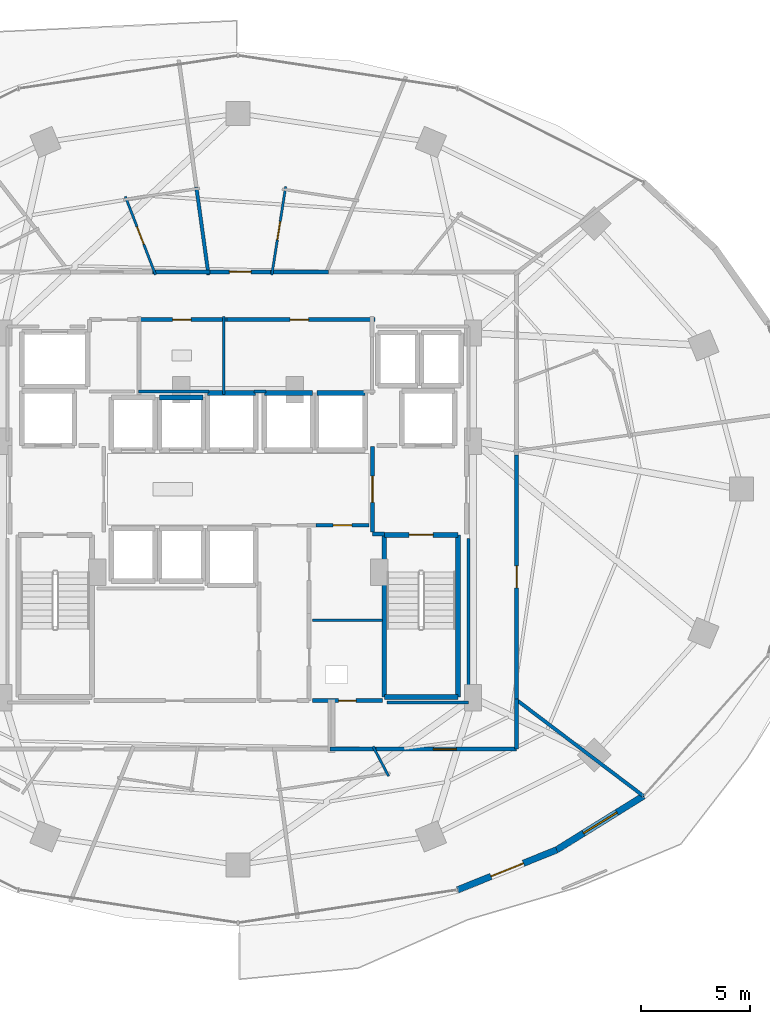
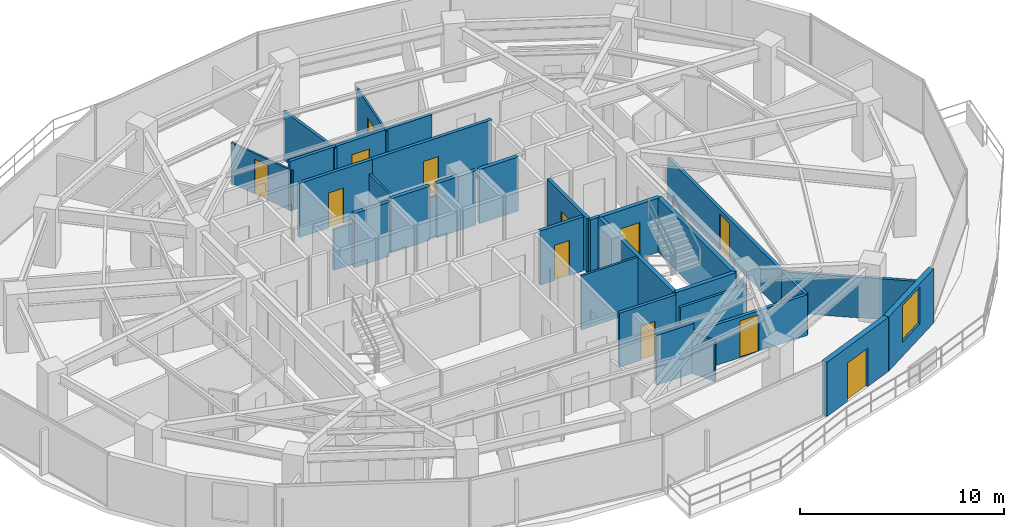
# One storey, part 24 of 30: 34 walls, 12 doors, 1 window, 13 openings.
"""IFC4 building model written with IfcOpenShell, lengths in metres."""

import ifcopenshell
import ifcopenshell.guid

model = None  # the IFC model being written
_history = None  # IfcOwnerHistory: only IFC2X3 demands one
_inside = {}  # id of a spatial element -> (the spatial element, [elements in it])
_under = {}  # id of a project, library or spatial element -> (it, [spatial elements below it])
_declared = {}  # id of a project -> (the project, [libraries it declares])
_typed = {}  # id of a type object -> (the type object, [elements of that type])
_made_of = {}  # id of a material, layer set ... -> (it, [elements and type objects made of it])


def new_model(schema):
    """Start an empty IFC model of exactly this schema.

    Asked for "IFC4X3", IfcOpenShell would pick the latest addendum, in which some entities
    have other attributes; the version numbers below select the first issue.
    IFC2X3 requires an IfcOwnerHistory on every rooted entity: one is made here for all.
    """
    global model, _history
    if schema == "IFC4X3":
        model = ifcopenshell.file(schema_version=(4, 3, 0, 0))
    else:
        model = ifcopenshell.file(schema=schema)
    _inside.clear()
    _under.clear()
    _declared.clear()
    _typed.clear()
    _made_of.clear()
    _history = None
    if model.schema == "IFC2X3":
        org = make("IfcOrganization", Name="unknown")
        user = make(
            "IfcPersonAndOrganization",
            ThePerson=make("IfcPerson", FamilyName="unknown"),
            TheOrganization=org,
        )
        app = make(
            "IfcApplication",
            ApplicationDeveloper=org,
            Version="unknown",
            ApplicationFullName="unknown",
            ApplicationIdentifier="unknown",
        )
        _history = make(
            "IfcOwnerHistory",
            OwningUser=user,
            OwningApplication=app,
            ChangeAction="ADDED",
            CreationDate=0,
        )
    return model


def make(cls, **values):
    """One entity of the class cls with the attributes given. An attribute that is None is left unset."""
    return model.create_entity(
        cls, **{name: value for name, value in values.items() if value is not None}
    )


def rooted(cls, **values):
    """An entity with a GlobalId (a new one), such as an element, a storey or a relation."""
    return make(cls, GlobalId=ifcopenshell.guid.new(), OwnerHistory=_history, **values)


def si_unit(unit_type, name, prefix=None):
    """IfcSIUnit, for example si_unit("LENGTHUNIT", "METRE", prefix="MILLI")."""
    return make("IfcSIUnit", UnitType=unit_type, Prefix=prefix, Name=name)


def assignment(units):
    """IfcUnitAssignment: the units of a project."""
    return None if units is None else make("IfcUnitAssignment", Units=units)


def point(xyz):
    """IfcCartesianPoint."""
    return None if xyz is None else make("IfcCartesianPoint", Coordinates=xyz)


def direction(xyz):
    """IfcDirection."""
    return None if xyz is None else make("IfcDirection", DirectionRatios=xyz)


def frame(location, z_axis=None, x_axis=None):
    """IfcAxis2Placement3D, a coordinate frame: its origin and axes. An axis left out is left unset."""
    return make(
        "IfcAxis2Placement3D",
        Location=point(location),
        Axis=direction(z_axis),
        RefDirection=direction(x_axis),
    )


def frame_2d(location, x_axis=None):
    """IfcAxis2Placement2D, a coordinate frame in the plane: its origin and x axis."""
    return make(
        "IfcAxis2Placement2D", Location=point(location), RefDirection=direction(x_axis)
    )


def origin():
    """The frame at (0, 0, 0) with its axes left unset."""
    return frame((0.0, 0.0, 0.0))


def place(relative_to, where):
    """IfcLocalPlacement: puts the frame where relative to a parent placement (None: the world)."""
    return make(
        "IfcLocalPlacement", PlacementRelTo=relative_to, RelativePlacement=where
    )


def context(
    kind, dimensions, precision=None, world=None, true_north=None, identifier=None
):
    """IfcGeometricRepresentationContext, for example the 3D "Model" context."""
    return make(
        "IfcGeometricRepresentationContext",
        ContextIdentifier=identifier,
        ContextType=kind,
        CoordinateSpaceDimension=dimensions,
        Precision=precision,
        WorldCoordinateSystem=world,
        TrueNorth=true_north,
    )


def subcontext(parent, identifier, kind, view, scale=None):
    """IfcGeometricRepresentationSubContext, for example "Body" below "Model"."""
    return make(
        "IfcGeometricRepresentationSubContext",
        ContextIdentifier=identifier,
        ContextType=kind,
        ParentContext=parent,
        TargetScale=scale,
        TargetView=view,
    )


def project(units=None, contexts=None):
    """IfcProject with its units and contexts."""
    return rooted(
        "IfcProject",
        Name="project",
        RepresentationContexts=contexts,
        UnitsInContext=assignment(units),
    )


def spatial(cls, under=None, at=None, **own):
    """A site, building, storey or space (cls), placed at a placement, below another one or the project."""
    s = rooted(cls, ObjectPlacement=at, **own)
    if under is not None:
        _under.setdefault(under.id(), (under, []))[1].append(s)
    return s


def profile(cls, at=None, kind="AREA", **sizes):
    """A parametric profile (cls). Its sizes go by their IFC names, for example OverallWidth=200.0."""
    return make(cls, ProfileType=kind, Position=at, **sizes)


def rectangle(**sizes):
    """IfcRectangleProfileDef."""
    return profile("IfcRectangleProfileDef", **sizes)


def extrude(swept, where, along, depth):
    """IfcExtrudedAreaSolid: the profile swept, set in the frame where, extruded along a direction by depth."""
    return make(
        "IfcExtrudedAreaSolid",
        SweptArea=swept,
        Position=where,
        ExtrudedDirection=direction(along),
        Depth=depth,
    )


def shape(context_of_items, identifier, shape_type, items):
    """IfcShapeRepresentation: the items that make up one representation, for example the "Body"."""
    return make(
        "IfcShapeRepresentation",
        ContextOfItems=context_of_items,
        RepresentationIdentifier=identifier,
        RepresentationType=shape_type,
        Items=items,
    )


def material(Name=None, Category=None):
    """IfcMaterial."""
    return make("IfcMaterial", Name=Name, Category=Category)


def layer(
    of_material, thickness, ventilated=None, Name=None, Category=None, Priority=None
):
    """IfcMaterialLayer: one layer of a wall or slab, of a material (None: an air gap)."""
    return make(
        "IfcMaterialLayer",
        Material=of_material,
        LayerThickness=thickness,
        IsVentilated=ventilated,
        Name=Name,
        Category=Category,
        Priority=Priority,
    )


def layer_set(layers, Name=None):
    """IfcMaterialLayerSet."""
    return make("IfcMaterialLayerSet", MaterialLayers=layers, LayerSetName=Name)


def made_of(thing, what):
    """Note that an element or type object is made of a material, layer set ...; save() writes the relation."""
    if what is not None:
        _made_of.setdefault(what.id(), (what, []))[1].append(thing)
    return thing


def type_object(cls, material=None, **own):
    """A type object (cls), such as IfcWallType, which elements share."""
    return made_of(rooted(cls, **own), material)


def element(
    cls,
    number,
    at=None,
    inside=None,
    cuts=None,
    type_object=None,
    material=None,
    context=None,
    identifier="Body",
    shape_type=None,
    held_by="IfcProductDefinitionShape",
    body=None,
    shapes=None,
    **own,
):
    """One element of the class cls, such as IfcWall. Its Tag is "e" and its number.

    at: its placement. inside: the storey or other place that contains it. cuts: it is an
    opening in that element (IfcRelVoidsElement). A single representation is given by context,
    identifier, shape_type and body (its items); several are given by shapes. held_by: the class
    of the entity that holds the representations. save() writes the other relations.
    """
    e = rooted(cls, Tag="e%d" % number, ObjectPlacement=at, **own)
    if body is not None:
        shapes = [shape(context, identifier, shape_type, body)]
    if shapes is not None:
        e.Representation = make(held_by, Representations=shapes)
    if inside is not None:
        _inside.setdefault(inside.id(), (inside, []))[1].append(e)
    if cuts is not None:
        rooted(
            "IfcRelVoidsElement", RelatingBuildingElement=cuts, RelatedOpeningElement=e
        )
    if type_object is not None:
        _typed.setdefault(type_object.id(), (type_object, []))[1].append(e)
    return made_of(e, material)


def fill(opening, filler):
    """IfcRelFillsElement: the door or window that sits in an opening."""
    return rooted(
        "IfcRelFillsElement",
        RelatingOpeningElement=opening,
        RelatedBuildingElement=filler,
    )


def aggregate(whole, parts):
    """IfcRelAggregates: a whole, such as a stair, and the parts it consists of."""
    return rooted("IfcRelAggregates", RelatingObject=whole, RelatedObjects=parts)


def save(model, path):
    """Write the relations noted so far, then the file.

    IfcRelAggregates (storeys below a building ...), IfcRelContainedInSpatialStructure (elements
    in a storey), IfcRelDefinesByType, IfcRelAssociatesMaterial and IfcRelDeclares: one each for
    every whole, place, type object, material and project.
    """
    for whole, parts in _under.values():
        aggregate(whole, parts)
    for where, things in _inside.values():
        rooted(
            "IfcRelContainedInSpatialStructure",
            RelatedElements=things,
            RelatingStructure=where,
        )
    for kind, things in _typed.values():
        rooted("IfcRelDefinesByType", RelatedObjects=things, RelatingType=kind)
    for what, things in _made_of.values():
        rooted("IfcRelAssociatesMaterial", RelatedObjects=things, RelatingMaterial=what)
    for by, libraries in _declared.values():
        rooted("IfcRelDeclares", RelatingContext=by, RelatedDefinitions=libraries)
    model.write(path)


model = new_model("IFC4")

# Units and contexts
model_context = context("Model", 3, precision=1e-05, world=origin(), true_north=direction((0.0, 1.0)))
body_context = subcontext(model_context, "Body", "Model", "MODEL_VIEW")
ifc_project = project(units=[si_unit("LENGTHUNIT", "METRE"), si_unit("AREAUNIT", "SQUARE_METRE"), si_unit("VOLUMEUNIT", "CUBIC_METRE"), si_unit("PLANEANGLEUNIT", "RADIAN"), si_unit("MASSUNIT", "GRAM", prefix="KILO")], contexts=[model_context])

# Site, building, storey
site_placement = place(None, origin())
site = spatial("IfcSite", under=ifc_project, at=site_placement, CompositionType="ELEMENT")
building_placement = place(site_placement, origin())
building = spatial("IfcBuilding", under=site, at=building_placement, Name="Vorneva Point Tower", CompositionType="ELEMENT")
storey_placement = place(building_placement, frame((0.0, 0.0, 96.300048828125)))
storey = spatial("IfcBuildingStorey", under=building, at=storey_placement, Name="L25", CompositionType="ELEMENT", Elevation=96.300048828125)

# Wall, opening, door
ifc_material_1 = material(Name="Precast concrete B50 (C40/50)", Category="concrete")
ifc_layer_1 = layer(ifc_material_1, 0.300048828125)
ifc_layer_set_1 = layer_set([ifc_layer_1], Name="Precast concrete B50 (C40/50)")
wall_type_1 = type_object("IfcWallType", Name="WL-EXT-300", PredefinedType="STANDARD", material=ifc_layer_set_1)
wall_1_placement = place(storey_placement, frame((48.04541015625, 7.660888671875, 0.0), z_axis=(0.0, 0.0, 1.0), x_axis=(0.927122233109, 0.374759075775, 0.0)))
wall_1 = element("IfcWall", 1, at=wall_1_placement, inside=storey, type_object=wall_type_1, Name="L25 Pale-Metal Facade Spandrel Wall 14.1", PredefinedType="STANDARD", context=body_context, shape_type="SweptSolid", body=[
    extrude(rectangle(XDim=4.89501953125, YDim=0.300048828125, at=frame_2d((2.447509765625, 0.0))), origin(), (0.0, 0.0, 1.0), 3.239990234375),
])
opening_1_placement = place(wall_1_placement, frame((1.6474609375, 0.0, 0.0)))
opening_1 = element("IfcOpeningElement", 2, at=opening_1_placement, cuts=wall_1, Name="Opening BD-01", PredefinedType="OPENING", context=body_context, shape_type="SweptSolid", body=[
    extrude(rectangle(XDim=1.60009765625, YDim=2.300048828125, at=frame_2d((0.800048828125, 1.14990234375))), frame((0.0, 0.1650390625, 0.0), z_axis=(0.0, -1.0, 0.0), x_axis=(1.0, 0.0, 0.0)), (0.0, 0.0, 1.0), 0.329833984375),
])
ifc_material_2 = material(Name="Pale anodised aluminium", Category="aluminium")
door_type_1 = type_object("IfcDoorType", Name="DR-BAL-1600", OperationType="SLIDING_TO_LEFT", PredefinedType="DOOR", material=ifc_material_2)
door_1_placement = place(opening_1_placement, origin())
door_1 = element("IfcDoor", 3, at=door_1_placement, inside=storey, type_object=door_type_1, Name="L25 Balcony Terrace Access Door 14", OperationType="SLIDING_TO_LEFT", OverallHeight=2.300048828125, OverallWidth=1.60009765625, PredefinedType="DOOR", context=body_context, shape_type="SweptSolid", body=[
    extrude(rectangle(XDim=1.60009765625, YDim=2.300048828125, at=frame_2d((0.800048828125, 1.14990234375))), frame((0.0, 0.02490234375, 0.0), z_axis=(0.0, -1.0, 0.0), x_axis=(1.0, 0.0, 0.0)), (0.0, 0.0, 1.0), 0.050048828125),
])
fill(opening_1, door_1)

# Wall, opening, window
wall_2_placement = place(storey_placement, frame((52.583740234375, 9.495361328125, 0.0), z_axis=(0.0, 0.0, 1.0), x_axis=(0.849684479743, 0.527291461038, 0.0)))
wall_2 = element("IfcWall", 4, at=wall_2_placement, inside=storey, type_object=wall_type_1, Name="L25 Pale-Metal Facade Spandrel Wall 14.2", PredefinedType="STANDARD", context=body_context, shape_type="SweptSolid", body=[
    extrude(rectangle(XDim=4.681396484375, YDim=0.300048828125, at=frame_2d((2.3408203125, 0.0))), origin(), (0.0, 0.0, 1.0), 3.239990234375),
])
opening_2_placement = place(wall_2_placement, frame((1.44091796875, 0.0, 0.85009765625)))
opening_2 = element("IfcOpeningElement", 5, at=opening_2_placement, cuts=wall_2, Name="Opening W-01", PredefinedType="OPENING", context=body_context, shape_type="SweptSolid", body=[
    extrude(rectangle(XDim=1.800048828125, YDim=2.18994140625, at=frame_2d((0.89990234375, 1.094970703125))), frame((0.0, 0.1650390625, 0.0), z_axis=(0.0, -1.0, 0.0), x_axis=(1.0, 0.0, 0.0)), (0.0, 0.0, 1.0), 0.329833984375),
])
ifc_material_3 = material(Name="Double low-e laminated glass IGU", Category="glass")
window_type = type_object("IfcWindowType", Name="WN-LOG-1800", PartitioningType="SINGLE_PANEL", PredefinedType="WINDOW", material=ifc_material_3)
window_placement = place(opening_2_placement, origin())
window = element("IfcWindow", 6, at=window_placement, inside=storey, type_object=window_type, Name="L25 Facade Window 14", OverallHeight=2.18994140625, OverallWidth=1.800048828125, PartitioningType="SINGLE_PANEL", PredefinedType="WINDOW", context=body_context, shape_type="SweptSolid", body=[
    extrude(rectangle(XDim=1.800048828125, YDim=2.18994140625, at=frame_2d((0.89990234375, 1.094970703125))), frame((0.0, 0.030029296875, 0.0), z_axis=(0.0, -1.0, 0.0), x_axis=(1.0, 0.0, 0.0)), (0.0, 0.0, 1.0), 0.06005859375),
])
fill(opening_2, window)

# Wall
ifc_material_4 = material(Name="Fire-rated acoustic gypsum stud partition", Category="gypsum")
ifc_layer_2 = layer(ifc_material_4, 0.110107421875)
ifc_layer_set_2 = layer_set([ifc_layer_2], Name="Fire-rated acoustic gypsum stud partition")
wall_type_2 = type_object("IfcWallType", Name="WL-PART-110", PredefinedType="PARTITIONING", material=ifc_layer_set_2)
wall_3_placement = place(storey_placement, frame((37.35009765625, 30.340087890625, 0.0), z_axis=(0.0, 0.0, 1.0), x_axis=(0.0, 1.0, 0.0)))
element("IfcWall", 7, at=wall_3_placement, inside=storey, type_object=wall_type_2, Name="L25 Interior Partition 017", PredefinedType="PARTITIONING", context=body_context, shape_type="SweptSolid", body=[
    extrude(rectangle(XDim=3.559814453125, YDim=0.110107421875, at=frame_2d((1.77978515625, 0.0))), origin(), (0.0, 0.0, 1.0), 2.431884765625),
])

# Wall, opening, door
wall_4_placement = place(storey_placement, frame((39.542236328125, 35.811767578125, 0.0), z_axis=(0.0, 0.0, 1.0), x_axis=(0.155211191462, 0.98788131172, 0.0)))
wall_4 = element("IfcWall", 8, at=wall_4_placement, inside=storey, type_object=wall_type_2, Name="L25 Interior Partition 060", PredefinedType="PARTITIONING", context=body_context, shape_type="SweptSolid", body=[
    extrude(rectangle(XDim=4.088134765625, YDim=0.110107421875, at=frame_2d((2.0439453125, 0.0))), origin(), (0.0, 0.0, 1.0), 2.921875),
])
opening_3_placement = place(wall_4_placement, frame((1.619140625, 0.0, 0.0)))
opening_3 = element("IfcOpeningElement", 9, at=opening_3_placement, cuts=wall_4, Name="Opening ID-02", PredefinedType="OPENING", context=body_context, shape_type="SweptSolid", body=[
    extrude(rectangle(XDim=0.85009765625, YDim=2.10009765625, at=frame_2d((0.425048828125, 1.050048828125))), frame((0.0, 0.06982421875, 0.0), z_axis=(0.0, -1.0, 0.0), x_axis=(1.0, 0.0, 0.0)), (0.0, 0.0, 1.0), 0.139892578125),
])
ifc_material_5 = material(Name="Engineered oak fire-rated door leaf", Category="wood")
door_type_2 = type_object("IfcDoorType", Name="DR-BATH-850", OperationType="NOTDEFINED", PredefinedType="DOOR", material=ifc_material_5)
door_2_placement = place(opening_3_placement, origin())
door_2 = element("IfcDoor", 10, at=door_2_placement, inside=storey, type_object=door_type_2, Name="L25 Door Twin Guest Room L25-03 / En-Suite Bathroom L25-03", OperationType="SINGLE_SWING_LEFT", OverallHeight=2.10009765625, OverallWidth=0.85009765625, PredefinedType="DOOR", context=body_context, shape_type="SweptSolid", body=[
    extrude(rectangle(XDim=0.85009765625, YDim=2.10009765625, at=frame_2d((0.425048828125, 1.050048828125))), frame((0.0, 0.02490234375, 0.0), z_axis=(0.0, -1.0, 0.0), x_axis=(1.0, 0.0, 0.0)), (0.0, 0.0, 1.0), 0.050048828125),
])
fill(opening_3, door_2)

wall_5_placement = place(storey_placement, frame((34.21630859375, 35.8193359375, 0.0), z_axis=(0.0, 0.0, 1.0), x_axis=(-0.359516562862, 0.933138704067, 0.0)))
wall_5 = element("IfcWall", 11, at=wall_5_placement, inside=storey, type_object=wall_type_2, Name="L25 Interior Partition 063", PredefinedType="PARTITIONING", context=body_context, shape_type="SweptSolid", body=[
    extrude(rectangle(XDim=3.834716796875, YDim=0.110107421875, at=frame_2d((1.91748046875, 0.0))), origin(), (0.0, 0.0, 1.0), 2.431884765625),
])
opening_4_placement = place(wall_5_placement, frame((1.4921875, 0.0, 0.0)))
opening_4 = element("IfcOpeningElement", 12, at=opening_4_placement, cuts=wall_5, Name="Opening ID-02", PredefinedType="OPENING", context=body_context, shape_type="SweptSolid", body=[
    extrude(rectangle(XDim=0.85009765625, YDim=2.10009765625, at=frame_2d((0.425048828125, 1.050048828125))), frame((0.0, 0.06982421875, 0.0), z_axis=(0.0, -1.0, 0.0), x_axis=(1.0, 0.0, 0.0)), (0.0, 0.0, 1.0), 0.139892578125),
])
door_3_placement = place(opening_4_placement, origin())
door_3 = element("IfcDoor", 13, at=door_3_placement, inside=storey, type_object=door_type_2, Name="L25 Door Junior Suite L25-04 / En-Suite Bathroom L25-04", OperationType="SINGLE_SWING_RIGHT", OverallHeight=2.10009765625, OverallWidth=0.85009765625, PredefinedType="DOOR", context=body_context, shape_type="SweptSolid", body=[
    extrude(rectangle(XDim=0.85009765625, YDim=2.10009765625, at=frame_2d((0.425048828125, 1.050048828125))), frame((0.0, 0.02490234375, 0.0), z_axis=(0.0, -1.0, 0.0), x_axis=(1.0, 0.0, 0.0)), (0.0, 0.0, 1.0), 0.050048828125),
])
fill(opening_4, door_3)

# Walls
wall_6_placement = place(storey_placement, frame((44.176025390625, 14.22412109375, 0.0), z_axis=(0.0, 0.0, 1.0), x_axis=(0.464262791375, -0.885697499457, 0.0)))
element("IfcWall", 14, at=wall_6_placement, inside=storey, type_object=wall_type_2, Name="L25 Interior Partition 084", PredefinedType="PARTITIONING", context=body_context, shape_type="SweptSolid", body=[
    extrude(rectangle(XDim=1.533447265625, YDim=0.110107421875, at=frame_2d((0.7666015625, 0.0))), origin(), (0.0, 0.0, 1.0), 2.431884765625),
])
ifc_layer_3 = layer(ifc_material_4, 0.125)
ifc_layer_set_3 = layer_set([ifc_layer_3], Name="Fire-rated acoustic gypsum stud partition")
wall_type_3 = type_object("IfcWallType", Name="WL-PART-125", PredefinedType="PARTITIONING", material=ifc_layer_set_3)
wall_7_placement = place(storey_placement, frame((44.60009765625, 20.0, 0.0), z_axis=(0.0, 0.0, 1.0), x_axis=(-1.0, 0.0, 0.0)))
element("IfcWall", 15, at=wall_7_placement, inside=storey, type_object=wall_type_3, Name="L25 Interior Partition 015", PredefinedType="PARTITIONING", context=body_context, shape_type="SweptSolid", body=[
    extrude(rectangle(XDim=3.2001953125, YDim=0.125, at=frame_2d((1.60009765625, 0.0))), origin(), (0.0, 0.0, 1.0), 3.239990234375),
])
ifc_layer_4 = layer(ifc_material_4, 0.139892578125)
ifc_layer_set_4 = layer_set([ifc_layer_4], Name="Fire-rated acoustic gypsum stud partition")
wall_type_4 = type_object("IfcWallType", Name="WL-PART-140", PredefinedType="PARTITIONING", material=ifc_layer_set_4)
wall_8_placement = place(storey_placement, frame((33.43994140625, 30.47998046875, 0.0), z_axis=(0.0, 0.0, 1.0), x_axis=(1.0, 0.0, 0.0)))
element("IfcWall", 16, at=wall_8_placement, inside=storey, type_object=wall_type_4, Name="L25 Interior Closure Partition 089", PredefinedType="PARTITIONING", context=body_context, shape_type="SweptSolid", body=[
    extrude(rectangle(XDim=3.22509765625, YDim=0.139892578125, at=frame_2d((1.612548828125, 0.0))), origin(), (0.0, 0.0, 1.0), 2.431884765625),
])
wall_9_placement = place(storey_placement, frame((38.735107421875, 30.47998046875, 0.0), z_axis=(0.0, 0.0, 1.0), x_axis=(1.0, 0.0, 0.0)))
element("IfcWall", 17, at=wall_9_placement, inside=storey, type_object=wall_type_4, Name="L25 Interior Closure Partition 090", PredefinedType="PARTITIONING", context=body_context, shape_type="SweptSolid", body=[
    extrude(rectangle(XDim=0.52978515625, YDim=0.139892578125, at=frame_2d((0.264892578125, 0.0))), origin(), (0.0, 0.0, 1.0), 2.431884765625),
])
wall_10_placement = place(storey_placement, frame((48.550048828125, 23.75390625, 0.0), z_axis=(0.0, 0.0, 1.0), x_axis=(0.0, -1.0, 0.0)))
element("IfcWall", 18, at=wall_10_placement, inside=storey, type_object=wall_type_4, Name="L25 Interior Closure Partition 096", PredefinedType="PARTITIONING", context=body_context, shape_type="SweptSolid", body=[
    extrude(rectangle(XDim=7.513916015625, YDim=0.139892578125, at=frame_2d((3.7568359375, 0.0))), origin(), (0.0, 0.0, 1.0), 2.431884765625),
])
wall_11_placement = place(storey_placement, frame((48.550048828125, 16.239990234375, 0.0), z_axis=(0.0, 0.0, 1.0), x_axis=(-1.0, 0.0, 0.0)))
element("IfcWall", 19, at=wall_11_placement, inside=storey, type_object=wall_type_4, Name="L25 Interior Closure Partition 097", PredefinedType="PARTITIONING", context=body_context, shape_type="SweptSolid", body=[
    extrude(rectangle(XDim=3.7451171875, YDim=0.139892578125, at=frame_2d((1.87255859375, 0.0))), origin(), (0.0, 0.0, 1.0), 2.431884765625),
])
ifc_layer_5 = layer(ifc_material_4, 0.159912109375)
ifc_layer_set_5 = layer_set([ifc_layer_5], Name="Fire-rated acoustic gypsum stud partition")
wall_type_5 = type_object("IfcWallType", Name="WL-PART-160", PredefinedType="PARTITIONING", material=ifc_layer_set_5)
wall_12_placement = place(storey_placement, frame((36.08740234375, 39.82861328125, 0.0), z_axis=(0.0, 0.0, 1.0), x_axis=(0.137071274589, -0.990561187248, 0.0)))
element("IfcWall", 20, at=wall_12_placement, inside=storey, type_object=wall_type_5, Name="L25 Interior Partition 062", PredefinedType="PARTITIONING", context=body_context, shape_type="SweptSolid", body=[
    extrude(rectangle(XDim=4.0556640625, YDim=0.159912109375, at=frame_2d((2.02783203125, 0.0))), origin(), (0.0, 0.0, 1.0), 2.921875),
])
wall_13_placement = place(storey_placement, frame((56.548095703125, 11.9599609375, 0.0), z_axis=(0.0, 0.0, 1.0), x_axis=(-0.797312940684, 0.603566131105, 0.0)))
element("IfcWall", 21, at=wall_13_placement, inside=storey, type_object=wall_type_5, Name="L25 Interior Partition 085", PredefinedType="PARTITIONING", context=body_context, shape_type="SweptSolid", body=[
    extrude(rectangle(XDim=7.27197265625, YDim=0.159912109375, at=frame_2d((3.635986328125, 0.0))), origin(), (0.0, 0.0, 1.0), 2.431884765625),
])

# Wall, opening, door
ifc_material_6 = material(Name="Autoclaved aerated concrete blockwork", Category="masonry")
ifc_layer_6 = layer(ifc_material_6, 0.179931640625)
ifc_layer_set_6 = layer_set([ifc_layer_6], Name="Autoclaved aerated concrete blockwork")
wall_type_6 = type_object("IfcWallType", Name="WL-PART-180", PredefinedType="PARTITIONING", material=ifc_layer_set_6)
wall_14_placement = place(storey_placement, frame((44.14990234375, 27.955078125, 0.0), z_axis=(0.0, 0.0, 1.0), x_axis=(0.0, -1.0, 0.0)))
wall_14 = element("IfcWall", 22, at=wall_14_placement, inside=storey, type_object=wall_type_6, Name="L25 Interior Partition 003", PredefinedType="PARTITIONING", context=body_context, shape_type="SweptSolid", body=[
    extrude(rectangle(XDim=3.91015625, YDim=0.179931640625, at=frame_2d((1.955078125, 0.0))), origin(), (0.0, 0.0, 1.0), 3.239990234375),
])
opening_5_placement = place(wall_14_placement, frame((1.35498046875, 0.0, 0.0)))
opening_5 = element("IfcOpeningElement", 23, at=opening_5_placement, cuts=wall_14, Name="Opening FD-02", PredefinedType="OPENING", context=body_context, shape_type="SweptSolid", body=[
    extrude(rectangle(XDim=1.199951171875, YDim=2.14990234375, at=frame_2d((0.60009765625, 1.074951171875))), frame((0.0, 0.10498046875, 0.0), z_axis=(0.0, -1.0, 0.0), x_axis=(1.0, 0.0, 0.0)), (0.0, 0.0, 1.0), 0.209716796875),
])
ifc_material_7 = material(Name="Fire-rated powder-coated steel", Category="steel")
door_type_3 = type_object("IfcDoorType", Name="DR-FFL-1200", OperationType="NOTDEFINED", PredefinedType="DOOR", material=ifc_material_7)
door_4_placement = place(opening_5_placement, origin())
door_4 = element("IfcDoor", 24, at=door_4_placement, inside=storey, type_object=door_type_3, Name="L25 Door East Firefighting Lobby / Central Lift Lobby", OperationType="SINGLE_SWING_RIGHT", OverallHeight=2.14990234375, OverallWidth=1.199951171875, PredefinedType="DOOR", context=body_context, shape_type="SweptSolid", body=[
    extrude(rectangle(XDim=1.199951171875, YDim=2.14990234375, at=frame_2d((0.60009765625, 1.074951171875))), frame((0.0, 0.02490234375, 0.0), z_axis=(0.0, -1.0, 0.0), x_axis=(1.0, 0.0, 0.0)), (0.0, 0.0, 1.0), 0.050048828125),
])
fill(opening_5, door_4)

# Wall
wall_15_placement = place(storey_placement, frame((44.14990234375, 23.949951171875, 0.0), z_axis=(0.0, 0.0, 1.0), x_axis=(1.0, 0.0, 0.0)))
element("IfcWall", 25, at=wall_15_placement, inside=storey, type_object=wall_type_6, Name="L25 Interior Partition 004", PredefinedType="PARTITIONING", context=body_context, shape_type="SweptSolid", body=[
    extrude(rectangle(XDim=0.5400390625, YDim=0.179931640625, at=frame_2d((0.27001953125, 0.0))), origin(), (0.0, 0.0, 1.0), 3.239990234375),
])

# Wall, opening, door
wall_16_placement = place(storey_placement, frame((41.554931640625, 24.35009765625, 0.0), z_axis=(0.0, 0.0, 1.0), x_axis=(1.0, 0.0, 0.0)))
wall_16 = element("IfcWall", 26, at=wall_16_placement, inside=storey, type_object=wall_type_6, Name="L25 Interior Partition 010", PredefinedType="PARTITIONING", context=body_context, shape_type="SweptSolid", body=[
    extrude(rectangle(XDim=2.445068359375, YDim=0.179931640625, at=frame_2d((1.22265625, 0.0))), origin(), (0.0, 0.0, 1.0), 3.239990234375),
])
opening_6_placement = place(wall_16_placement, frame((0.797607421875, 0.0, 0.0)))
opening_6 = element("IfcOpeningElement", 27, at=opening_6_placement, cuts=wall_16, Name="Opening ID-02", PredefinedType="OPENING", context=body_context, shape_type="SweptSolid", body=[
    extrude(rectangle(XDim=0.85009765625, YDim=2.10009765625, at=frame_2d((0.425048828125, 1.050048828125))), frame((0.0, 0.10498046875, 0.0), z_axis=(0.0, -1.0, 0.0), x_axis=(1.0, 0.0, 0.0)), (0.0, 0.0, 1.0), 0.209716796875),
])
door_5_placement = place(opening_6_placement, origin())
door_5 = element("IfcDoor", 28, at=door_5_placement, inside=storey, type_object=door_type_2, Name="L25 Door Central Lift Lobby / Cleaners Store", OperationType="SINGLE_SWING_RIGHT", OverallHeight=2.10009765625, OverallWidth=0.85009765625, PredefinedType="DOOR", context=body_context, shape_type="SweptSolid", body=[
    extrude(rectangle(XDim=0.85009765625, YDim=2.10009765625, at=frame_2d((0.425048828125, 1.050048828125))), frame((0.0, 0.02490234375, 0.0), z_axis=(0.0, -1.0, 0.0), x_axis=(1.0, 0.0, 0.0)), (0.0, 0.0, 1.0), 0.050048828125),
])
fill(opening_6, door_5)

wall_17_placement = place(storey_placement, frame((41.39990234375, 16.320068359375, 0.0), z_axis=(0.0, 0.0, 1.0), x_axis=(1.0, 0.0, 0.0)))
wall_17 = element("IfcWall", 29, at=wall_17_placement, inside=storey, type_object=wall_type_6, Name="L25 Interior Partition 016", PredefinedType="PARTITIONING", context=body_context, shape_type="SweptSolid", body=[
    extrude(rectangle(XDim=3.2001953125, YDim=0.179931640625, at=frame_2d((1.60009765625, 0.0))), origin(), (0.0, 0.0, 1.0), 3.239990234375),
])
opening_7_placement = place(wall_17_placement, frame((1.199951171875, 0.0, 0.0)))
opening_7 = element("IfcOpeningElement", 30, at=opening_7_placement, cuts=wall_17, Name="Opening RD-01", PredefinedType="OPENING", context=body_context, shape_type="SweptSolid", body=[
    extrude(rectangle(XDim=0.800048828125, YDim=2.050048828125, at=frame_2d((0.39990234375, 1.02490234375))), frame((0.0, 0.10498046875, 0.0), z_axis=(0.0, -1.0, 0.0), x_axis=(1.0, 0.0, 0.0)), (0.0, 0.0, 1.0), 0.209716796875),
])
door_type_4 = type_object("IfcDoorType", Name="DR-RSR-800", OperationType="SINGLE_SWING_LEFT", PredefinedType="DOOR", material=ifc_material_7)
door_6_placement = place(opening_7_placement, origin())
door_6 = element("IfcDoor", 31, at=door_6_placement, inside=storey, type_object=door_type_4, Name="L25 Door Electrical Riser / L25 Circulation Corridor", OperationType="SINGLE_SWING_LEFT", OverallHeight=2.050048828125, OverallWidth=0.800048828125, PredefinedType="DOOR", context=body_context, shape_type="SweptSolid", body=[
    extrude(rectangle(XDim=0.800048828125, YDim=2.050048828125, at=frame_2d((0.39990234375, 1.02490234375))), frame((0.0, 0.02490234375, 0.0), z_axis=(0.0, -1.0, 0.0), x_axis=(1.0, 0.0, 0.0)), (0.0, 0.0, 1.0), 0.050048828125),
])
fill(opening_7, door_6)

wall_18_placement = place(storey_placement, frame((37.489990234375, 33.760009765625, 0.0), z_axis=(0.0, 0.0, 1.0), x_axis=(-1.0, 0.0, 0.0)))
wall_18 = element("IfcWall", 32, at=wall_18_placement, inside=storey, type_object=wall_type_6, Name="L25 Interior Partition 018", PredefinedType="PARTITIONING", context=body_context, shape_type="SweptSolid", body=[
    extrude(rectangle(XDim=4.1298828125, YDim=0.179931640625, at=frame_2d((2.06494140625, 0.0))), origin(), (0.0, 0.0, 1.0), 3.239990234375),
])
opening_8_placement = place(wall_18_placement, frame((1.639892578125, 0.0, 0.0)))
opening_8 = element("IfcOpeningElement", 33, at=opening_8_placement, cuts=wall_18, Name="Opening ID-02", PredefinedType="OPENING", context=body_context, shape_type="SweptSolid", body=[
    extrude(rectangle(XDim=0.85009765625, YDim=2.10009765625, at=frame_2d((0.425048828125, 1.050048828125))), frame((0.0, 0.10498046875, 0.0), z_axis=(0.0, -1.0, 0.0), x_axis=(1.0, 0.0, 0.0)), (0.0, 0.0, 1.0), 0.209716796875),
])
door_7_placement = place(opening_8_placement, origin())
door_7 = element("IfcDoor", 34, at=door_7_placement, inside=storey, type_object=door_type_2, Name="L25 Door Accessible WC / L25 Circulation Corridor", OperationType="SINGLE_SWING_RIGHT", OverallHeight=2.10009765625, OverallWidth=0.85009765625, PredefinedType="DOOR", context=body_context, shape_type="SweptSolid", body=[
    extrude(rectangle(XDim=0.85009765625, YDim=2.10009765625, at=frame_2d((0.425048828125, 1.050048828125))), frame((0.0, 0.02490234375, 0.0), z_axis=(0.0, -1.0, 0.0), x_axis=(1.0, 0.0, 0.0)), (0.0, 0.0, 1.0), 0.050048828125),
])
fill(opening_8, door_7)

wall_19_placement = place(storey_placement, frame((44.260009765625, 33.760009765625, 0.0), z_axis=(0.0, 0.0, 1.0), x_axis=(-1.0, 0.0, 0.0)))
wall_19 = element("IfcWall", 35, at=wall_19_placement, inside=storey, type_object=wall_type_6, Name="L25 Interior Partition 019", PredefinedType="PARTITIONING", context=body_context, shape_type="SweptSolid", body=[
    extrude(rectangle(XDim=6.909912109375, YDim=0.179931640625, at=frame_2d((3.455078125, 0.0))), origin(), (0.0, 0.0, 1.0), 3.239990234375),
])
opening_9_placement = place(wall_19_placement, frame((3.030029296875, 0.0, 0.0)))
opening_9 = element("IfcOpeningElement", 36, at=opening_9_placement, cuts=wall_19, Name="Opening ID-02", PredefinedType="OPENING", context=body_context, shape_type="SweptSolid", body=[
    extrude(rectangle(XDim=0.85009765625, YDim=2.10009765625, at=frame_2d((0.425048828125, 1.050048828125))), frame((0.0, 0.10498046875, 0.0), z_axis=(0.0, -1.0, 0.0), x_axis=(1.0, 0.0, 0.0)), (0.0, 0.0, 1.0), 0.209716796875),
])
door_8_placement = place(opening_9_placement, origin())
door_8 = element("IfcDoor", 37, at=door_8_placement, inside=storey, type_object=door_type_2, Name="L25 Door Public Restroom / L25 Circulation Corridor", OperationType="SINGLE_SWING_LEFT", OverallHeight=2.10009765625, OverallWidth=0.85009765625, PredefinedType="DOOR", context=body_context, shape_type="SweptSolid", body=[
    extrude(rectangle(XDim=0.85009765625, YDim=2.10009765625, at=frame_2d((0.425048828125, 1.050048828125))), frame((0.0, 0.02490234375, 0.0), z_axis=(0.0, -1.0, 0.0), x_axis=(1.0, 0.0, 0.0)), (0.0, 0.0, 1.0), 0.050048828125),
])
fill(opening_9, door_8)

wall_20_placement = place(storey_placement, frame((39.625, 35.949951171875, 0.0), z_axis=(0.0, 0.0, 1.0), x_axis=(-1.0, 0.0, 0.0)))
wall_20 = element("IfcWall", 38, at=wall_20_placement, inside=storey, type_object=wall_type_6, Name="L25 Interior Partition 026", PredefinedType="PARTITIONING", context=body_context, shape_type="SweptSolid", body=[
    extrude(rectangle(XDim=3.06201171875, YDim=0.179931640625, at=frame_2d((1.531005859375, 0.0))), origin(), (0.0, 0.0, 1.0), 2.971923828125),
])
opening_10_placement = place(wall_20_placement, frame((1.031005859375, 0.0, 0.0)))
opening_10 = element("IfcOpeningElement", 39, at=opening_10_placement, cuts=wall_20, Name="Opening UD-01", PredefinedType="OPENING", context=body_context, shape_type="SweptSolid", body=[
    extrude(rectangle(XDim=1.0, YDim=2.14990234375, at=frame_2d((0.5, 1.074951171875))), frame((0.0, 0.10498046875, 0.0), z_axis=(0.0, -1.0, 0.0), x_axis=(1.0, 0.0, 0.0)), (0.0, 0.0, 1.0), 0.209716796875),
])
door_type_5 = type_object("IfcDoorType", Name="DR-UNIT-1000", OperationType="NOTDEFINED", PredefinedType="DOOR", material=ifc_material_5)
door_9_placement = place(opening_10_placement, origin())
door_9 = element("IfcDoor", 40, at=door_9_placement, inside=storey, type_object=door_type_5, Name="L25 Door L25 Circulation Corridor / Twin Guest Room L25-03", OperationType="SINGLE_SWING_LEFT", OverallHeight=2.14990234375, OverallWidth=1.0, PredefinedType="DOOR", context=body_context, shape_type="SweptSolid", body=[
    extrude(rectangle(XDim=1.0, YDim=2.14990234375, at=frame_2d((0.5, 1.074951171875))), frame((0.0, 0.02490234375, 0.0), z_axis=(0.0, -1.0, 0.0), x_axis=(1.0, 0.0, 0.0)), (0.0, 0.0, 1.0), 0.050048828125),
])
fill(opening_10, door_9)

# Walls
wall_21_placement = place(storey_placement, frame((42.1279296875, 35.949951171875, 0.0), z_axis=(0.0, 0.0, 1.0), x_axis=(-1.0, 0.0, 0.0)))
element("IfcWall", 41, at=wall_21_placement, inside=storey, type_object=wall_type_6, Name="L25 Interior Partition 027", PredefinedType="PARTITIONING", context=body_context, shape_type="SweptSolid", body=[
    extrude(rectangle(XDim=2.642822265625, YDim=0.179931640625, at=frame_2d((1.3212890625, 0.0))), origin(), (0.0, 0.0, 1.0), 2.971923828125),
])
wall_22_placement = place(storey_placement, frame((36.702880859375, 35.949951171875, 0.0), z_axis=(0.0, 0.0, 1.0), x_axis=(-1.0, 0.0, 0.0)))
element("IfcWall", 42, at=wall_22_placement, inside=storey, type_object=wall_type_6, Name="L25 Interior Partition 029", PredefinedType="PARTITIONING", context=body_context, shape_type="SweptSolid", body=[
    extrude(rectangle(XDim=2.616943359375, YDim=0.179931640625, at=frame_2d((1.30859375, 0.0))), origin(), (0.0, 0.0, 1.0), 2.971923828125),
])

# Wall, opening, door
wall_23_placement = place(storey_placement, frame((44.180908203125, 14.10009765625, 0.0), z_axis=(0.0, 0.0, 1.0), x_axis=(1.0, 0.0, 0.0)))
wall_23 = element("IfcWall", 43, at=wall_23_placement, inside=storey, type_object=wall_type_6, Name="L25 Interior Partition 042", PredefinedType="PARTITIONING", context=body_context, shape_type="SweptSolid", body=[
    extrude(rectangle(XDim=6.569091796875, YDim=0.179931640625, at=frame_2d((3.28466796875, 0.0))), origin(), (0.0, 0.0, 1.0), 2.431884765625),
])
opening_11_placement = place(wall_23_placement, frame((2.759521484375, 0.0, 0.0)))
opening_11 = element("IfcOpeningElement", 44, at=opening_11_placement, cuts=wall_23, Name="Opening UD-02", PredefinedType="OPENING", context=body_context, shape_type="SweptSolid", body=[
    extrude(rectangle(XDim=1.050048828125, YDim=2.199951171875, at=frame_2d((0.52490234375, 1.10009765625))), frame((0.0, 0.10498046875, 0.0), z_axis=(0.0, -1.0, 0.0), x_axis=(1.0, 0.0, 0.0)), (0.0, 0.0, 1.0), 0.209716796875),
])
door_type_6 = type_object("IfcDoorType", Name="DR-SUITE-1050", OperationType="NOTDEFINED", PredefinedType="DOOR", material=ifc_material_5)
door_10_placement = place(opening_11_placement, origin())
door_10 = element("IfcDoor", 45, at=door_10_placement, inside=storey, type_object=door_type_6, Name="L25 Door L25 Circulation Corridor / Junior Suite L25-10", OperationType="SINGLE_SWING_RIGHT", OverallHeight=2.199951171875, OverallWidth=1.050048828125, PredefinedType="DOOR", context=body_context, shape_type="SweptSolid", body=[
    extrude(rectangle(XDim=1.050048828125, YDim=2.199951171875, at=frame_2d((0.52490234375, 1.10009765625))), frame((0.0, 0.02490234375, 0.0), z_axis=(0.0, -1.0, 0.0), x_axis=(1.0, 0.0, 0.0)), (0.0, 0.0, 1.0), 0.050048828125),
])
fill(opening_11, door_10)

# Walls
wall_24_placement = place(storey_placement, frame((50.75, 14.10009765625, 0.0), z_axis=(0.0, 0.0, 1.0), x_axis=(0.0, 1.0, 0.0)))
element("IfcWall", 46, at=wall_24_placement, inside=storey, type_object=wall_type_6, Name="L25 Interior Partition 043", PredefinedType="PARTITIONING", context=body_context, shape_type="SweptSolid", body=[
    extrude(rectangle(XDim=2.308837890625, YDim=0.179931640625, at=frame_2d((1.154296875, 0.0))), origin(), (0.0, 0.0, 1.0), 2.431884765625),
])
wall_25_placement = place(storey_placement, frame((42.199951171875, 14.10009765625, 0.0), z_axis=(0.0, 0.0, 1.0), x_axis=(1.0, 0.0, 0.0)))
element("IfcWall", 47, at=wall_25_placement, inside=storey, type_object=wall_type_6, Name="L25 Interior Partition 045", PredefinedType="PARTITIONING", context=body_context, shape_type="SweptSolid", body=[
    extrude(rectangle(XDim=2.12109375, YDim=0.179931640625, at=frame_2d((1.060546875, 0.0))), origin(), (0.0, 0.0, 1.0), 2.971923828125),
])

# Wall, opening, door
wall_26_placement = place(storey_placement, frame((50.75, 16.408935546875, 0.0), z_axis=(0.0, 0.0, 1.0), x_axis=(0.0, 1.0, 0.0)))
wall_26 = element("IfcWall", 48, at=wall_26_placement, inside=storey, type_object=wall_type_6, Name="L25 Interior Partition 048", PredefinedType="PARTITIONING", context=body_context, shape_type="SweptSolid", body=[
    extrude(rectangle(XDim=11.155029296875, YDim=0.179931640625, at=frame_2d((5.57763671875, 0.0))), origin(), (0.0, 0.0, 1.0), 2.431884765625),
])
opening_12_placement = place(wall_26_placement, frame((5.077392578125, 0.0, 0.0)))
opening_12 = element("IfcOpeningElement", 49, at=opening_12_placement, cuts=wall_26, Name="Opening UD-01", PredefinedType="OPENING", context=body_context, shape_type="SweptSolid", body=[
    extrude(rectangle(XDim=1.0, YDim=2.14990234375, at=frame_2d((0.5, 1.074951171875))), frame((0.0, 0.10498046875, 0.0), z_axis=(0.0, -1.0, 0.0), x_axis=(1.0, 0.0, 0.0)), (0.0, 0.0, 1.0), 0.209716796875),
])
door_11_placement = place(opening_12_placement, origin())
door_11 = element("IfcDoor", 50, at=door_11_placement, inside=storey, type_object=door_type_5, Name="L25 Door L25 Circulation Corridor / Executive Meeting Room L25-11", OperationType="SINGLE_SWING_LEFT", OverallHeight=2.14990234375, OverallWidth=1.0, PredefinedType="DOOR", context=body_context, shape_type="SweptSolid", body=[
    extrude(rectangle(XDim=1.0, YDim=2.14990234375, at=frame_2d((0.5, 1.074951171875))), frame((0.0, 0.02490234375, 0.0), z_axis=(0.0, -1.0, 0.0), x_axis=(1.0, 0.0, 0.0)), (0.0, 0.0, 1.0), 0.050048828125),
])
fill(opening_12, door_11)

ifc_material_8 = material(Name="Concrete B50 (C40/50)", Category="concrete")
ifc_layer_7 = layer(ifc_material_8, 0.219970703125)
ifc_layer_set_7 = layer_set([ifc_layer_7], Name="Concrete B50 (C40/50)")
wall_type_7 = type_object("IfcWallType", Name="WL-SHFT-220", PredefinedType="SOLIDWALL", material=ifc_layer_set_7)
wall_27_placement = place(storey_placement, frame((44.68994140625, 23.909912109375, 0.0), z_axis=(0.0, 0.0, 1.0), x_axis=(1.0, 0.0, 0.0)))
wall_27 = element("IfcWall", 51, at=wall_27_placement, inside=storey, type_object=wall_type_7, Name="L25 Exit Stair ST2 Shaft Wall near", PredefinedType="SOLIDWALL", context=body_context, shape_type="SweptSolid", body=[
    extrude(rectangle(XDim=3.3701171875, YDim=0.219970703125, at=frame_2d((1.68505859375, 0.0))), origin(), (0.0, 0.0, 1.0), 3.239990234375),
])
opening_13_placement = place(wall_27_placement, frame((1.135009765625, 0.0, 0.0)))
opening_13 = element("IfcOpeningElement", 52, at=opening_13_placement, cuts=wall_27, Name="Opening FD-01", PredefinedType="OPENING", context=body_context, shape_type="SweptSolid", body=[
    extrude(rectangle(XDim=1.10009765625, YDim=2.14990234375, at=frame_2d((0.550048828125, 1.074951171875))), frame((0.0, 0.125, 0.0), z_axis=(0.0, -1.0, 0.0), x_axis=(1.0, 0.0, 0.0)), (0.0, 0.0, 1.0), 0.249755859375),
])
door_type_7 = type_object("IfcDoorType", Name="DR-STAIR-1100", OperationType="NOTDEFINED", PredefinedType="DOOR", material=ifc_material_7)
door_12_placement = place(opening_13_placement, origin())
door_12 = element("IfcDoor", 53, at=door_12_placement, inside=storey, type_object=door_type_7, Name="L25 Exit Stair ST2 Fire Door", OperationType="SINGLE_SWING_RIGHT", OverallHeight=2.14990234375, OverallWidth=1.10009765625, PredefinedType="DOOR", context=body_context, shape_type="SweptSolid", body=[
    extrude(rectangle(XDim=1.10009765625, YDim=2.14990234375, at=frame_2d((0.550048828125, 1.074951171875))), frame((0.0, 0.02490234375, 0.0), z_axis=(0.0, -1.0, 0.0), x_axis=(1.0, 0.0, 0.0)), (0.0, 0.0, 1.0), 0.050048828125),
])
fill(opening_13, door_12)

# Walls
wall_28_placement = place(storey_placement, frame((48.06005859375, 23.909912109375, 0.0), z_axis=(0.0, 0.0, 1.0), x_axis=(0.0, -1.0, 0.0)))
element("IfcWall", 54, at=wall_28_placement, inside=storey, type_object=wall_type_7, Name="L25 Exit Stair ST2 Shaft Wall right", PredefinedType="SOLIDWALL", context=body_context, shape_type="SweptSolid", body=[
    extrude(rectangle(XDim=7.419921875, YDim=0.219970703125, at=frame_2d((3.7099609375, 0.0))), origin(), (0.0, 0.0, 1.0), 3.239990234375),
])
wall_29_placement = place(storey_placement, frame((48.06005859375, 16.489990234375, 0.0), z_axis=(0.0, 0.0, 1.0), x_axis=(-1.0, 0.0, 0.0)))
element("IfcWall", 55, at=wall_29_placement, inside=storey, type_object=wall_type_7, Name="L25 Exit Stair ST2 Shaft Wall far", PredefinedType="SOLIDWALL", context=body_context, shape_type="SweptSolid", body=[
    extrude(rectangle(XDim=3.3701171875, YDim=0.219970703125, at=frame_2d((1.68505859375, 0.0))), origin(), (0.0, 0.0, 1.0), 3.239990234375),
])
wall_30_placement = place(storey_placement, frame((44.68994140625, 16.489990234375, 0.0), z_axis=(0.0, 0.0, 1.0), x_axis=(0.0, 1.0, 0.0)))
element("IfcWall", 56, at=wall_30_placement, inside=storey, type_object=wall_type_7, Name="L25 Exit Stair ST2 Shaft Wall left", PredefinedType="SOLIDWALL", context=body_context, shape_type="SweptSolid", body=[
    extrude(rectangle(XDim=7.419921875, YDim=0.219970703125, at=frame_2d((3.7099609375, 0.0))), origin(), (0.0, 0.0, 1.0), 3.239990234375),
])
wall_31_placement = place(storey_placement, frame((36.39990234375, 30.199951171875, 0.0), z_axis=(0.0, 0.0, 1.0), x_axis=(-1.0, 0.0, 0.0)))
element("IfcWall", 57, at=wall_31_placement, inside=storey, type_object=wall_type_7, Name="L25 Lift PL2 Shaft Wall +Y", PredefinedType="SOLIDWALL", context=body_context, shape_type="SweptSolid", body=[
    extrude(rectangle(XDim=2.0, YDim=0.219970703125, at=frame_2d((1.0, 0.0))), origin(), (0.0, 0.0, 1.0), 3.239990234375),
])
for number, where, z_axis, x_axis, name in (
    (58, (38.800048828125, 30.39990234375, 0.0), (0.0, 0.0, 1.0), (-1.0, 0.0, 0.0), "L25 Lift PL3 Shaft Wall +Y"),
    (59, (41.39990234375, 30.39990234375, 0.0), (0.0, 0.0, 1.0), (-1.0, 0.0, 0.0), "L25 Lift PL7 Shaft Wall +Y"),
    (60, (43.800048828125, 30.39990234375, 0.0), (0.0, 0.0, 1.0), (-1.0, 0.0, 0.0), "L25 Lift PL8 Shaft Wall +Y"),
):
    element("IfcWall", number, at=place(storey_placement, frame(where, z_axis=z_axis, x_axis=x_axis)), inside=storey, type_object=wall_type_7, Name=name, PredefinedType="SOLIDWALL", context=body_context, shape_type="SweptSolid", body=[
        extrude(rectangle(XDim=2.199951171875, YDim=0.219970703125, at=frame_2d((1.10009765625, 0.0))), origin(), (0.0, 0.0, 1.0), 3.239990234375),
    ])

save(model, "model.ifc")
